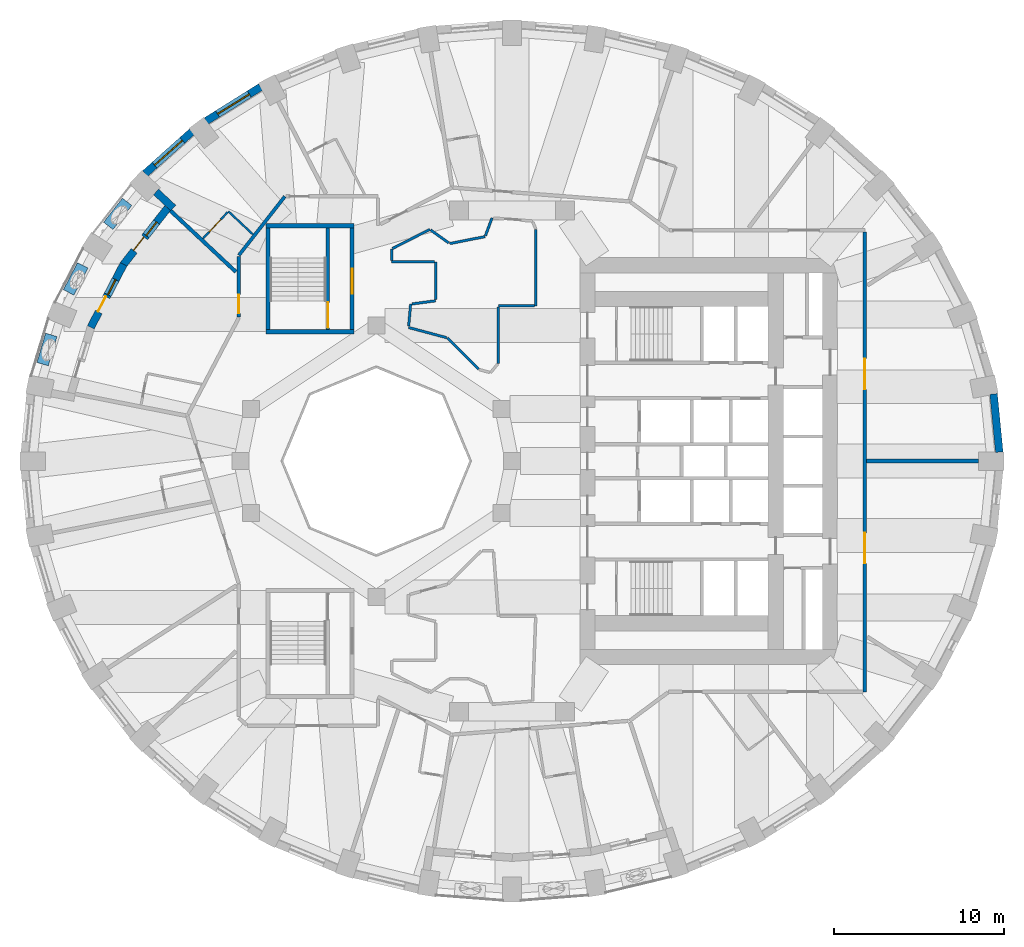
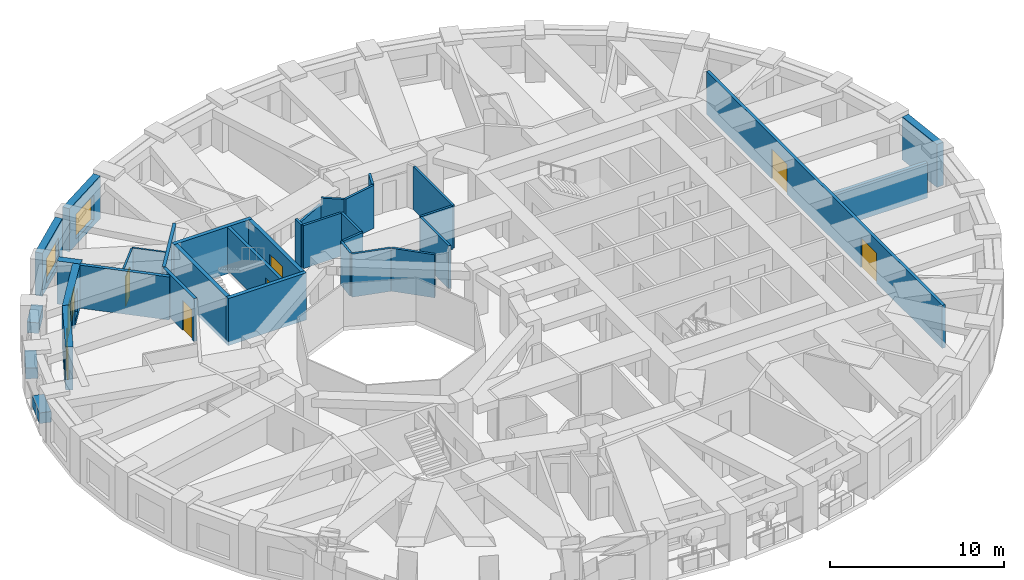
# One storey, part 7 of 13: 35 walls, 8 doors, 4 windows, 12 openings.
"""IFC4 building model written with IfcOpenShell, lengths in metres."""

from ifc_helpers import new_model, si_unit, direction, frame, frame_2d, origin, place, context, subcontext, project, spatial, rectangle, extrude, material, layer, layer_set, constituent, constituent_set, type_object, element, fill, save


model = new_model("IFC4")

# Units and contexts
model_context = context("Model", 3, precision=1e-05, world=origin(), true_north=direction((0.0, 1.0)))
body_context = subcontext(model_context, "Body", "Model", "MODEL_VIEW")
ifc_project = project(units=[si_unit("LENGTHUNIT", "METRE"), si_unit("AREAUNIT", "SQUARE_METRE"), si_unit("VOLUMEUNIT", "CUBIC_METRE"), si_unit("PLANEANGLEUNIT", "RADIAN"), si_unit("MASSUNIT", "GRAM", prefix="KILO")], contexts=[model_context])

# Site, building, storey
site_placement = place(None, origin())
site = spatial("IfcSite", under=ifc_project, at=site_placement, CompositionType="ELEMENT")
building_placement = place(site_placement, origin())
building = spatial("IfcBuilding", under=site, at=building_placement, Name="Taillehof Tower", CompositionType="ELEMENT")
storey_placement = place(building_placement, frame((0.0, 0.0, 34.89990234375)))
storey = spatial("IfcBuildingStorey", under=building, at=storey_placement, Name="L08", CompositionType="ELEMENT", Elevation=34.89990234375)

# Wall
ifc_material_1 = material(Name="Brick masonry", Category="masonry")
ifc_layer_1 = layer(ifc_material_1, 0.449951171875)
ifc_layer_set_1 = layer_set([ifc_layer_1], Name="Brick infill wall 450")
wall_type_1 = type_object("IfcWallType", Name="Brick infill wall 450", PredefinedType="SOLIDWALL", material=ifc_layer_set_1)
wall_1_placement = place(storey_placement, frame((28.721923828125, 0.530029296875, 0.0), z_axis=(0.0, 0.0, 1.0), x_axis=(-0.097389581596, 0.995246336038, 0.0)))
element("IfcWall", 1, at=wall_1_placement, inside=storey, type_object=wall_type_1, Name="Brick wall L08 bay 1", PredefinedType="SOLIDWALL", context=body_context, shape_type="SweptSolid", body=[
    extrude(rectangle(XDim=3.44189453125, YDim=0.449951171875, at=frame_2d((1.720947265625, 0.0))), origin(), (0.0, 0.0, 1.0), 3.02001953125),
])

# Wall, opening, window
wall_2_placement = place(storey_placement, frame((-14.81689453125, 22.050537109375, 0.0), z_axis=(0.0, 0.0, 1.0), x_axis=(-0.847635480093, -0.530579016629, 0.0)))
wall_2 = element("IfcWall", 2, at=wall_2_placement, inside=storey, type_object=wall_type_1, Name="Brick wall L08 bay 13", PredefinedType="SOLIDWALL", context=body_context, shape_type="SweptSolid", body=[
    extrude(rectangle(XDim=3.782470703125, YDim=0.449951171875, at=frame_2d((1.89111328125, 0.0))), origin(), (0.0, 0.0, 1.0), 3.02001953125),
])
opening_1_placement = place(wall_2_placement, frame((0.791259765625, 0.0, 0.39990234375)))
opening_1 = element("IfcOpeningElement", 3, at=opening_1_placement, cuts=wall_2, Name="Opening W1", PredefinedType="OPENING", context=body_context, shape_type="SweptSolid", body=[
    extrude(rectangle(XDim=2.199951171875, YDim=1.75, at=frame_2d((1.10009765625, 0.875))), frame((0.0, 0.23486328125, 0.0), z_axis=(0.0, -1.0, 0.0), x_axis=(1.0, 0.0, 0.0)), (0.0, 0.0, 1.0), 0.469970703125),
])
ifc_material_2 = material(Name="Aluminium window frame with clear double glazing", Category="aluminium")
window_type_1 = type_object("IfcWindowType", Name="Deep-set window 2200x1750", PartitioningType="SINGLE_PANEL", PredefinedType="WINDOW", material=ifc_material_2)
window_1_placement = place(opening_1_placement, origin())
window_1 = element("IfcWindow", 4, at=window_1_placement, inside=storey, type_object=window_type_1, Name="W1", OverallHeight=1.75, OverallWidth=2.199951171875, PartitioningType="SINGLE_PANEL", PredefinedType="WINDOW", context=body_context, shape_type="SweptSolid", body=[
    extrude(rectangle(XDim=2.199951171875, YDim=1.75, at=frame_2d((1.10009765625, 0.875))), frame((0.0, 0.034912109375, 0.0), z_axis=(0.0, -1.0, 0.0), x_axis=(1.0, 0.0, 0.0)), (0.0, 0.0, 1.0), 0.06005859375),
])
fill(opening_1, window_1)

wall_3_placement = place(storey_placement, frame((-18.87060546875, 19.406982421875, 0.0), z_axis=(0.0, 0.0, 1.0), x_axis=(-0.745526233716, -0.66647628228, 0.0)))
wall_3 = element("IfcWall", 5, at=wall_3_placement, inside=storey, type_object=wall_type_1, Name="Brick wall L08 bay 14", PredefinedType="SOLIDWALL", context=body_context, shape_type="SweptSolid", body=[
    extrude(rectangle(XDim=3.69677734375, YDim=0.449951171875, at=frame_2d((1.848388671875, 0.0))), origin(), (0.0, 0.0, 1.0), 3.02001953125),
])
opening_2_placement = place(wall_3_placement, frame((0.74853515625, 0.0, 0.39990234375)))
opening_2 = element("IfcOpeningElement", 6, at=opening_2_placement, cuts=wall_3, Name="Opening W1", PredefinedType="OPENING", context=body_context, shape_type="SweptSolid", body=[
    extrude(rectangle(XDim=2.199951171875, YDim=1.75, at=frame_2d((1.10009765625, 0.875))), frame((0.0, 0.23486328125, 0.0), z_axis=(0.0, -1.0, 0.0), x_axis=(1.0, 0.0, 0.0)), (0.0, 0.0, 1.0), 0.469970703125),
])
window_2_placement = place(opening_2_placement, origin())
window_2 = element("IfcWindow", 7, at=window_2_placement, inside=storey, type_object=window_type_1, Name="W1", OverallHeight=1.75, OverallWidth=2.199951171875, PartitioningType="SINGLE_PANEL", PredefinedType="WINDOW", context=body_context, shape_type="SweptSolid", body=[
    extrude(rectangle(XDim=2.199951171875, YDim=1.75, at=frame_2d((1.10009765625, 0.875))), frame((0.0, 0.034912109375, 0.0), z_axis=(0.0, -1.0, 0.0), x_axis=(1.0, 0.0, 0.0)), (0.0, 0.0, 1.0), 0.06005859375),
])
fill(opening_2, window_2)

# Wall
wall_4_placement = place(storey_placement, frame((-20.981689453125, 15.8662109375, 0.0), z_axis=(0.0, 0.0, 1.0), x_axis=(0.730062381614, -0.683380508174, 0.0)))
element("IfcWall", 8, at=wall_4_placement, inside=storey, type_object=wall_type_1, Name="Brick reveal L08 pocket 4", PredefinedType="SOLIDWALL", context=body_context, shape_type="SweptSolid", body=[
    extrude(rectangle(XDim=1.39111328125, YDim=0.449951171875, at=frame_2d((0.695556640625, 0.0))), origin(), (0.0, 0.0, 1.0), 3.02001953125),
])

# Wall, openings, door, window
wall_5_placement = place(storey_placement, frame((-20.298095703125, 14.918212890625, 0.0), z_axis=(0.0, 0.0, 1.0), x_axis=(-0.615578403957, -0.788075649022, 0.0)))
wall_5 = element("IfcWall", 9, at=wall_5_placement, inside=storey, type_object=wall_type_1, Name="Brick wall L08 pocket bay 15", PredefinedType="SOLIDWALL", context=body_context, shape_type="SweptSolid", body=[
    extrude(rectangle(XDim=4.2587890625, YDim=0.449951171875, at=frame_2d((2.12939453125, 0.0))), origin(), (0.0, 0.0, 1.0), 3.02001953125),
])
opening_3_placement = place(wall_5_placement, frame((1.05419921875, 0.0, 0.39990234375)))
opening_3 = element("IfcOpeningElement", 10, at=opening_3_placement, cuts=wall_5, Name="Opening W5", PredefinedType="OPENING", context=body_context, shape_type="SweptSolid", body=[
    extrude(rectangle(XDim=1.0, YDim=1.75, at=frame_2d((0.5, 0.875))), frame((0.0, 0.23486328125, 0.0), z_axis=(0.0, -1.0, 0.0), x_axis=(1.0, 0.0, 0.0)), (0.0, 0.0, 1.0), 0.469970703125),
])
opening_4_placement = place(wall_5_placement, frame((2.204345703125, 0.0, 0.0)))
opening_4 = element("IfcOpeningElement", 11, at=opening_4_placement, cuts=wall_5, Name="Opening D0891", PredefinedType="OPENING", context=body_context, shape_type="SweptSolid", body=[
    extrude(rectangle(XDim=1.0, YDim=2.14990234375, at=frame_2d((0.5, 1.074951171875))), frame((0.0, 0.23486328125, 0.0), z_axis=(0.0, -1.0, 0.0), x_axis=(1.0, 0.0, 0.0)), (0.0, 0.0, 1.0), 0.469970703125),
])
ifc_material_3 = material(Name="Aluminium door frame with clear double glazing", Category="aluminium")
door_type_1 = type_object("IfcDoorType", Name="Balcony door 1000x2150", OperationType="SINGLE_SWING_RIGHT", PredefinedType="DOOR", material=ifc_material_3)
door_1_placement = place(opening_4_placement, frame((1.0, 0.0, 0.0), z_axis=(0.0, 0.0, 1.0), x_axis=(-1.0, 0.0, 0.0)))
door_1 = element("IfcDoor", 12, at=door_1_placement, inside=storey, type_object=door_type_1, Name="Balcony door L08 bay 15", OperationType="SINGLE_SWING_RIGHT", OverallHeight=2.14990234375, OverallWidth=1.0, PredefinedType="DOOR", context=body_context, shape_type="SweptSolid", body=[
    extrude(rectangle(XDim=1.0, YDim=2.14990234375, at=frame_2d((0.5, 1.074951171875))), frame((0.0, 0.0751953125, 0.0), z_axis=(0.0, -1.0, 0.0), x_axis=(1.0, 0.0, 0.0)), (0.0, 0.0, 1.0), 0.050048828125),
])
fill(opening_4, door_1)
ifc_material_4 = material(Name="Aluminium window frame with clear double glazing", Category="aluminium")
window_type_2 = type_object("IfcWindowType", Name="Fixed window 1000x1750", PartitioningType="SINGLE_PANEL", PredefinedType="WINDOW", material=ifc_material_4)
window_3_placement = place(opening_3_placement, origin())
window_3 = element("IfcWindow", 13, at=window_3_placement, inside=storey, type_object=window_type_2, Name="W5", OverallHeight=1.75, OverallWidth=1.0, PartitioningType="SINGLE_PANEL", PredefinedType="WINDOW", context=body_context, shape_type="SweptSolid", body=[
    extrude(rectangle(XDim=1.0, YDim=1.75, at=frame_2d((0.5, 0.875))), frame((0.0, 0.034912109375, 0.0), z_axis=(0.0, -1.0, 0.0), x_axis=(1.0, 0.0, 0.0)), (0.0, 0.0, 1.0), 0.06005859375),
])
fill(opening_3, window_3)

wall_6_placement = place(storey_placement, frame((-22.897216796875, 11.5966796875, 0.0), z_axis=(0.0, 0.0, 1.0), x_axis=(-0.461514453451, -0.887132689769, 0.0)))
wall_6 = element("IfcWall", 14, at=wall_6_placement, inside=storey, type_object=wall_type_1, Name="Brick wall L08 pocket bay 16", PredefinedType="SOLIDWALL", context=body_context, shape_type="SweptSolid", body=[
    extrude(rectangle(XDim=4.182861328125, YDim=0.449951171875, at=frame_2d((2.09130859375, 0.0))), origin(), (0.0, 0.0, 1.0), 3.02001953125),
])
opening_5_placement = place(wall_6_placement, frame((1.016357421875, 0.0, 0.39990234375)))
opening_5 = element("IfcOpeningElement", 15, at=opening_5_placement, cuts=wall_6, Name="Opening W5", PredefinedType="OPENING", context=body_context, shape_type="SweptSolid", body=[
    extrude(rectangle(XDim=1.0, YDim=1.75, at=frame_2d((0.5, 0.875))), frame((0.0, 0.23486328125, 0.0), z_axis=(0.0, -1.0, 0.0), x_axis=(1.0, 0.0, 0.0)), (0.0, 0.0, 1.0), 0.469970703125),
])
opening_6_placement = place(wall_6_placement, frame((2.16650390625, 0.0, 0.0)))
opening_6 = element("IfcOpeningElement", 16, at=opening_6_placement, cuts=wall_6, Name="Opening D0892", PredefinedType="OPENING", context=body_context, shape_type="SweptSolid", body=[
    extrude(rectangle(XDim=1.0, YDim=2.14990234375, at=frame_2d((0.5, 1.074951171875))), frame((0.0, 0.23486328125, 0.0), z_axis=(0.0, -1.0, 0.0), x_axis=(1.0, 0.0, 0.0)), (0.0, 0.0, 1.0), 0.469970703125),
])
door_2_placement = place(opening_6_placement, frame((1.0, 0.0, 0.0), z_axis=(0.0, 0.0, 1.0), x_axis=(-1.0, 0.0, 0.0)))
door_2 = element("IfcDoor", 17, at=door_2_placement, inside=storey, type_object=door_type_1, Name="Balcony door L08 bay 16", OperationType="SINGLE_SWING_LEFT", OverallHeight=2.14990234375, OverallWidth=1.0, PredefinedType="DOOR", context=body_context, shape_type="SweptSolid", body=[
    extrude(rectangle(XDim=1.0, YDim=2.14990234375, at=frame_2d((0.5, 1.074951171875))), frame((0.0, 0.0751953125, 0.0), z_axis=(0.0, -1.0, 0.0), x_axis=(1.0, 0.0, 0.0)), (0.0, 0.0, 1.0), 0.050048828125),
])
fill(opening_6, door_2)
window_4_placement = place(opening_5_placement, origin())
window_4 = element("IfcWindow", 18, at=window_4_placement, inside=storey, type_object=window_type_2, Name="W5", OverallHeight=1.75, OverallWidth=1.0, PartitioningType="SINGLE_PANEL", PredefinedType="WINDOW", context=body_context, shape_type="SweptSolid", body=[
    extrude(rectangle(XDim=1.0, YDim=1.75, at=frame_2d((0.5, 0.875))), frame((0.0, 0.034912109375, 0.0), z_axis=(0.0, -1.0, 0.0), x_axis=(1.0, 0.0, 0.0)), (0.0, 0.0, 1.0), 0.06005859375),
])
fill(opening_5, window_4)

# Wall
ifc_material_5 = material(Name="Gypsum board on steel studs, two layers each side", Category="steel")
ifc_layer_2 = layer(ifc_material_5, 0.199951171875)
ifc_layer_set_2 = layer_set([ifc_layer_2], Name="Compartment wall corridor 200")
wall_type_2 = type_object("IfcWallType", Name="Compartment wall corridor 200", PredefinedType="PARTITIONING", material=ifc_layer_set_2)
wall_7_placement = place(storey_placement, frame((-16.10009765625, 12.129638671875, 0.0), z_axis=(0.0, 0.0, 1.0), x_axis=(0.615593476668, 0.788063875256, 0.0)))
element("IfcWall", 19, at=wall_7_placement, inside=storey, type_object=wall_type_2, Name="Compartment wall", PredefinedType="PARTITIONING", context=body_context, shape_type="SweptSolid", body=[
    extrude(rectangle(XDim=4.40380859375, YDim=0.199951171875, at=frame_2d((2.201904296875, 0.0))), origin(), (0.0, 0.0, 1.0), 3.02001953125),
])

# Wall, openings, doors
wall_8_placement = place(storey_placement, frame((20.800048828125, 13.5, 0.0), z_axis=(0.0, 0.0, 1.0), x_axis=(0.0, -1.0, 0.0)))
wall_8 = element("IfcWall", 20, at=wall_8_placement, inside=storey, type_object=wall_type_2, Name="Compartment wall", PredefinedType="PARTITIONING", context=body_context, shape_type="SweptSolid", body=[
    extrude(rectangle(XDim=27.10009765625, YDim=0.199951171875, at=frame_2d((13.550048828125, 0.0))), origin(), (0.0, 0.0, 1.0), 3.02001953125),
])
opening_7_placement = place(wall_8_placement, frame((17.733154296875, 0.0, 0.0)))
opening_7 = element("IfcOpeningElement", 21, at=opening_7_placement, cuts=wall_8, Name="Opening D0863", PredefinedType="OPENING", context=body_context, shape_type="SweptSolid", body=[
    extrude(rectangle(XDim=1.800048828125, YDim=2.10009765625, at=frame_2d((0.89990234375, 1.050048828125))), frame((0.0, 0.10986328125, 0.0), z_axis=(0.0, -1.0, 0.0), x_axis=(1.0, 0.0, 0.0)), (0.0, 0.0, 1.0), 0.219970703125),
])
opening_8_placement = place(wall_8_placement, frame((7.466796875, 0.0, 0.0)))
opening_8 = element("IfcOpeningElement", 22, at=opening_8_placement, cuts=wall_8, Name="Opening D0864", PredefinedType="OPENING", context=body_context, shape_type="SweptSolid", body=[
    extrude(rectangle(XDim=1.800048828125, YDim=2.10009765625, at=frame_2d((0.89990234375, 1.050048828125))), frame((0.0, 0.10986328125, 0.0), z_axis=(0.0, -1.0, 0.0), x_axis=(1.0, 0.0, 0.0)), (0.0, 0.0, 1.0), 0.219970703125),
])
ifc_material_6 = material(Name="Timber door leaf in steel frame", Category="steel")
door_type_2 = type_object("IfcDoorType", Name="Lounge and meeting room double door EI 30 1800 x 2100", OperationType="SINGLE_SWING_LEFT", PredefinedType="DOOR", material=ifc_material_6)
door_3_placement = place(opening_7_placement, origin())
door_3 = element("IfcDoor", 23, at=door_3_placement, inside=storey, type_object=door_type_2, Name="D0863", OperationType="DOUBLE_DOOR_SINGLE_SWING", OverallHeight=2.10009765625, OverallWidth=1.800048828125, PredefinedType="DOOR", context=body_context, shape_type="SweptSolid", body=[
    extrude(rectangle(XDim=1.800048828125, YDim=2.10009765625, at=frame_2d((0.89990234375, 1.050048828125))), frame((0.0, 0.02490234375, 0.0), z_axis=(0.0, -1.0, 0.0), x_axis=(1.0, 0.0, 0.0)), (0.0, 0.0, 1.0), 0.050048828125),
])
fill(opening_7, door_3)
door_4_placement = place(opening_8_placement, origin())
door_4 = element("IfcDoor", 24, at=door_4_placement, inside=storey, type_object=door_type_2, Name="D0864", OperationType="DOUBLE_DOOR_SINGLE_SWING", OverallHeight=2.10009765625, OverallWidth=1.800048828125, PredefinedType="DOOR", context=body_context, shape_type="SweptSolid", body=[
    extrude(rectangle(XDim=1.800048828125, YDim=2.10009765625, at=frame_2d((0.89990234375, 1.050048828125))), frame((0.0, 0.02490234375, 0.0), z_axis=(0.0, -1.0, 0.0), x_axis=(1.0, 0.0, 0.0)), (0.0, 0.0, 1.0), 0.050048828125),
])
fill(opening_8, door_4)

# Wall, opening, door
wall_9_placement = place(storey_placement, frame((-16.10009765625, 8.49072265625, 0.0), z_axis=(0.0, 0.0, 1.0), x_axis=(0.0, 1.0, 0.0)))
wall_9 = element("IfcWall", 25, at=wall_9_placement, inside=storey, type_object=wall_type_2, Name="Compartment wall", PredefinedType="PARTITIONING", context=body_context, shape_type="SweptSolid", body=[
    extrude(rectangle(XDim=3.578857421875, YDim=0.199951171875, at=frame_2d((1.78955078125, 0.0))), origin(), (0.0, 0.0, 1.0), 3.02001953125),
])
opening_9_placement = place(wall_9_placement, frame((0.219970703125, 0.0, 0.0)))
opening_9 = element("IfcOpeningElement", 26, at=opening_9_placement, cuts=wall_9, Name="Opening D0848", PredefinedType="OPENING", context=body_context, shape_type="SweptSolid", body=[
    extrude(rectangle(XDim=1.10009765625, YDim=2.10009765625, at=frame_2d((0.550048828125, 1.050048828125))), frame((0.0, 0.10986328125, 0.0), z_axis=(0.0, -1.0, 0.0), x_axis=(1.0, 0.0, 0.0)), (0.0, 0.0, 1.0), 0.219970703125),
])
ifc_material_7 = material(Name="Timber door leaf in steel frame", Category="steel")
door_type_3 = type_object("IfcDoorType", Name="Suite entrance door EI 30 1100 x 2100", OperationType="SINGLE_SWING_LEFT", PredefinedType="DOOR", material=ifc_material_7)
door_5_placement = place(opening_9_placement, origin())
door_5 = element("IfcDoor", 27, at=door_5_placement, inside=storey, type_object=door_type_3, Name="D0848", OperationType="SINGLE_SWING_LEFT", OverallHeight=2.10009765625, OverallWidth=1.10009765625, PredefinedType="DOOR", context=body_context, shape_type="SweptSolid", body=[
    extrude(rectangle(XDim=1.10009765625, YDim=2.10009765625, at=frame_2d((0.550048828125, 1.050048828125))), frame((0.0, 0.02490234375, 0.0), z_axis=(0.0, -1.0, 0.0), x_axis=(1.0, 0.0, 0.0)), (0.0, 0.0, 1.0), 0.050048828125),
])
fill(opening_9, door_5)

# Walls
ifc_material_8 = material(Name="Gypsum board on double steel studs with mineral wool", Category="steel")
ifc_layer_3 = layer(ifc_material_8, 0.219970703125)
ifc_layer_set_3 = layer_set([ifc_layer_3], Name="Compartment wall guest room 220")
wall_type_3 = type_object("IfcWallType", Name="Compartment wall guest room 220", PredefinedType="PARTITIONING", material=ifc_layer_set_3)
wall_10_placement = place(storey_placement, frame((27.5, 0.0, 0.0), z_axis=(0.0, 0.0, 1.0), x_axis=(-1.0, 0.0, 0.0)))
element("IfcWall", 28, at=wall_10_placement, inside=storey, type_object=wall_type_3, Name="Compartment wall", PredefinedType="PARTITIONING", context=body_context, shape_type="SweptSolid", body=[
    extrude(rectangle(XDim=6.599853515625, YDim=0.219970703125, at=frame_2d((3.2998046875, 0.0))), origin(), (0.0, 0.0, 1.0), 2.47021484375),
])
wall_11_placement = place(storey_placement, frame((-20.133056640625, 14.763671875, 0.0), z_axis=(0.0, 0.0, 1.0), x_axis=(0.730065516357, -0.68337715928, 0.0)))
element("IfcWall", 29, at=wall_11_placement, inside=storey, type_object=wall_type_3, Name="Compartment wall", PredefinedType="PARTITIONING", context=body_context, shape_type="SweptSolid", body=[
    extrude(rectangle(XDim=5.28662109375, YDim=0.219970703125, at=frame_2d((2.643310546875, 0.0))), origin(), (0.0, 0.0, 1.0), 3.02001953125),
])
ifc_material_9 = material(Name="Gypsum board on steel studs, two layers each side", Category="steel")
ifc_layer_4 = layer(ifc_material_9, 0.14990234375)
ifc_layer_set_4 = layer_set([ifc_layer_4], Name="Compartment wall service room 150")
wall_type_4 = type_object("IfcWallType", Name="Compartment wall service room 150", PredefinedType="PARTITIONING", material=ifc_layer_set_4)
wall_12_placement = place(storey_placement, frame((-3.67578125, 12.822021484375, 0.0), z_axis=(0.0, 0.0, 1.0), x_axis=(0.981284032016, 0.192565958858, 0.0)))
element("IfcWall", 30, at=wall_12_placement, inside=storey, type_object=wall_type_4, Name="Compartment wall", PredefinedType="PARTITIONING", context=body_context, shape_type="SweptSolid", body=[
    extrude(rectangle(XDim=2.1298828125, YDim=0.14990234375, at=frame_2d((1.06494140625, 0.0))), origin(), (0.0, 0.0, 1.0), 3.02001953125),
])
wall_13_placement = place(storey_placement, frame((-1.564453125, 13.28857421875, 0.0), z_axis=(0.0, 0.0, 1.0), x_axis=(0.348554808131, 0.937288400509, 0.0)))
element("IfcWall", 31, at=wall_13_placement, inside=storey, type_object=wall_type_4, Name="Compartment wall", PredefinedType="PARTITIONING", context=body_context, shape_type="SweptSolid", body=[
    extrude(rectangle(XDim=1.114990234375, YDim=0.14990234375, at=frame_2d((0.5576171875, 0.0))), origin(), (0.0, 0.0, 1.0), 3.02001953125),
])
wall_14_placement = place(storey_placement, frame((1.39990234375, 13.66064453125, 0.0), z_axis=(0.0, 0.0, 1.0), x_axis=(0.0, -1.0, 0.0)))
element("IfcWall", 32, at=wall_14_placement, inside=storey, type_object=wall_type_4, Name="Compartment wall", PredefinedType="PARTITIONING", context=body_context, shape_type="SweptSolid", body=[
    extrude(rectangle(XDim=4.5107421875, YDim=0.14990234375, at=frame_2d((2.25537109375, 0.0))), origin(), (0.0, 0.0, 1.0), 3.02001953125),
])
wall_15_placement = place(storey_placement, frame((1.31982421875, 9.14990234375, 0.0), z_axis=(0.0, 0.0, 1.0), x_axis=(-1.0, 0.0, 0.0)))
element("IfcWall", 33, at=wall_15_placement, inside=storey, type_object=wall_type_4, Name="Compartment wall", PredefinedType="PARTITIONING", context=body_context, shape_type="SweptSolid", body=[
    extrude(rectangle(XDim=2.119873046875, YDim=0.14990234375, at=frame_2d((1.06005859375, 0.0))), origin(), (0.0, 0.0, 1.0), 3.02001953125),
])
wall_16_placement = place(storey_placement, frame((-0.800048828125, 9.06982421875, 0.0), z_axis=(0.0, 0.0, 1.0), x_axis=(-0.003911409193, -0.99999235041, 0.0)))
element("IfcWall", 34, at=wall_16_placement, inside=storey, type_object=wall_type_4, Name="Compartment wall", PredefinedType="PARTITIONING", context=body_context, shape_type="SweptSolid", body=[
    extrude(rectangle(XDim=3.30810546875, YDim=0.14990234375, at=frame_2d((1.654052734375, 0.0))), origin(), (0.0, 0.0, 1.0), 3.02001953125),
])
wall_17_placement = place(storey_placement, frame((-1.973388671875, 5.428466796875, 0.0), z_axis=(0.0, 0.0, 1.0), x_axis=(-0.707106781187, 0.707106781187, 0.0)))
element("IfcWall", 35, at=wall_17_placement, inside=storey, type_object=wall_type_4, Name="Compartment wall", PredefinedType="PARTITIONING", context=body_context, shape_type="SweptSolid", body=[
    extrude(rectangle(XDim=2.59326171875, YDim=0.14990234375, at=frame_2d((1.296630859375, 0.0))), origin(), (0.0, 0.0, 1.0), 3.02001953125),
])
wall_18_placement = place(storey_placement, frame((-3.845703125, 7.2724609375, 0.0), z_axis=(0.0, 0.0, 1.0), x_axis=(-0.965906023197, 0.258892939941, 0.0)))
element("IfcWall", 36, at=wall_18_placement, inside=storey, type_object=wall_type_4, Name="Compartment wall", PredefinedType="PARTITIONING", context=body_context, shape_type="SweptSolid", body=[
    extrude(rectangle(XDim=2.333984375, YDim=0.14990234375, at=frame_2d((1.1669921875, 0.0))), origin(), (0.0, 0.0, 1.0), 3.02001953125),
])
wall_19_placement = place(storey_placement, frame((-6.09228515625, 7.956787109375, 0.0), z_axis=(0.0, 0.0, 1.0), x_axis=(0.091567710563, 0.99579885237, 0.0)))
element("IfcWall", 37, at=wall_19_placement, inside=storey, type_object=wall_type_4, Name="Compartment wall", PredefinedType="PARTITIONING", context=body_context, shape_type="SweptSolid", body=[
    extrude(rectangle(XDim=1.301025390625, YDim=0.14990234375, at=frame_2d((0.650390625, 0.0))), origin(), (0.0, 0.0, 1.0), 3.02001953125),
])
wall_20_placement = place(storey_placement, frame((-5.89404296875, 9.26318359375, 0.0), z_axis=(0.0, 0.0, 1.0), x_axis=(0.991144324173, 0.132789038177, 0.0)))
element("IfcWall", 38, at=wall_20_placement, inside=storey, type_object=wall_type_4, Name="Compartment wall", PredefinedType="PARTITIONING", context=body_context, shape_type="SweptSolid", body=[
    extrude(rectangle(XDim=1.406494140625, YDim=0.14990234375, at=frame_2d((0.703125, 0.0))), origin(), (0.0, 0.0, 1.0), 3.02001953125),
])
wall_21_placement = place(storey_placement, frame((-4.5, 9.530029296875, 0.0), z_axis=(0.0, 0.0, 1.0), x_axis=(0.0, 1.0, 0.0)))
element("IfcWall", 39, at=wall_21_placement, inside=storey, type_object=wall_type_4, Name="Compartment wall", PredefinedType="PARTITIONING", context=body_context, shape_type="SweptSolid", body=[
    extrude(rectangle(XDim=2.219970703125, YDim=0.14990234375, at=frame_2d((1.10986328125, 0.0))), origin(), (0.0, 0.0, 1.0), 3.02001953125),
])
wall_22_placement = place(storey_placement, frame((-4.580078125, 11.75, 0.0), z_axis=(0.0, 0.0, 1.0), x_axis=(-1.0, 0.0, 0.0)))
element("IfcWall", 40, at=wall_22_placement, inside=storey, type_object=wall_type_4, Name="Compartment wall", PredefinedType="PARTITIONING", context=body_context, shape_type="SweptSolid", body=[
    extrude(rectangle(XDim=2.52001953125, YDim=0.14990234375, at=frame_2d((1.260009765625, 0.0))), origin(), (0.0, 0.0, 1.0), 3.02001953125),
])
wall_23_placement = place(storey_placement, frame((-7.10009765625, 11.830078125, 0.0), z_axis=(0.0, 0.0, 1.0), x_axis=(0.0, 1.0, 0.0)))
element("IfcWall", 41, at=wall_23_placement, inside=storey, type_object=wall_type_4, Name="Compartment wall", PredefinedType="PARTITIONING", context=body_context, shape_type="SweptSolid", body=[
    extrude(rectangle(XDim=0.67236328125, YDim=0.14990234375, at=frame_2d((0.336181640625, 0.0))), origin(), (0.0, 0.0, 1.0), 3.02001953125),
])
wall_24_placement = place(storey_placement, frame((-7.046630859375, 12.529541015625, 0.0), z_axis=(0.0, 0.0, 1.0), x_axis=(0.890208185307, 0.455553934032, 0.0)))
element("IfcWall", 42, at=wall_24_placement, inside=storey, type_object=wall_type_4, Name="Compartment wall", PredefinedType="PARTITIONING", context=body_context, shape_type="SweptSolid", body=[
    extrude(rectangle(XDim=2.4765625, YDim=0.14990234375, at=frame_2d((1.23828125, 0.0))), origin(), (0.0, 0.0, 1.0), 2.570068359375),
])
wall_25_placement = place(storey_placement, frame((-4.79296875, 13.62255859375, 0.0), z_axis=(0.0, 0.0, 1.0), x_axis=(0.812853780358, -0.582467794611, 0.0)))
element("IfcWall", 43, at=wall_25_placement, inside=storey, type_object=wall_type_4, Name="Compartment wall", PredefinedType="PARTITIONING", context=body_context, shape_type="SweptSolid", body=[
    extrude(rectangle(XDim=1.31396484375, YDim=0.14990234375, at=frame_2d((0.656982421875, 0.0))), origin(), (0.0, 0.0, 1.0), 3.02001953125),
])
ifc_material_10 = material(Name="Gypsum board on steel studs, moisture resistant", Category="steel")
ifc_layer_5 = layer(ifc_material_10, 0.1201171875)
ifc_layer_set_5 = layer_set([ifc_layer_5], Name="En-suite wall 120")
wall_type_5 = type_object("IfcWallType", Name="En-suite wall 120", PredefinedType="PARTITIONING", material=ifc_layer_set_5)
wall_26_placement = place(storey_placement, frame((-15.2666015625, 13.359130859375, 0.0), z_axis=(0.0, 0.0, 1.0), x_axis=(-0.730103481834, 0.683336597742, 0.0)))
element("IfcWall", 44, at=wall_26_placement, inside=storey, type_object=wall_type_5, Name="En-suite wall", PredefinedType="PARTITIONING", context=body_context, shape_type="SweptSolid", body=[
    extrude(rectangle(XDim=1.989013671875, YDim=0.1201171875, at=frame_2d((0.99462890625, 0.0))), origin(), (0.0, 0.0, 1.0), 3.02001953125),
])

# Wall, opening, door
wall_27_placement = place(storey_placement, frame((-16.759765625, 14.67431640625, 0.0), z_axis=(0.0, 0.0, 1.0), x_axis=(-0.683334594436, -0.730105356813, 0.0)))
wall_27 = element("IfcWall", 45, at=wall_27_placement, inside=storey, type_object=wall_type_5, Name="En-suite wall", PredefinedType="PARTITIONING", context=body_context, shape_type="SweptSolid", body=[
    extrude(rectangle(XDim=2.129638671875, YDim=0.1201171875, at=frame_2d((1.06494140625, 0.0))), origin(), (0.0, 0.0, 1.0), 3.02001953125),
])
opening_10_placement = place(wall_27_placement, frame((0.58984375, 0.0, 0.0)))
opening_10 = element("IfcOpeningElement", 46, at=opening_10_placement, cuts=wall_27, Name="Opening D0847", PredefinedType="OPENING", context=body_context, shape_type="SweptSolid", body=[
    extrude(rectangle(XDim=1.0, YDim=2.10009765625, at=frame_2d((0.5, 1.050048828125))), frame((0.0, 0.070068359375, 0.0), z_axis=(0.0, -1.0, 0.0), x_axis=(1.0, 0.0, 0.0)), (0.0, 0.0, 1.0), 0.14013671875),
])
ifc_material_11 = material(Name="Timber door leaf in steel frame", Category="steel")
door_type_4 = type_object("IfcDoorType", Name="Accessible en-suite door 1000 x 2100", OperationType="SINGLE_SWING_LEFT", PredefinedType="DOOR", material=ifc_material_11)
door_6_placement = place(opening_10_placement, origin())
door_6 = element("IfcDoor", 47, at=door_6_placement, inside=storey, type_object=door_type_4, Name="D0847", OperationType="SINGLE_SWING_LEFT", OverallHeight=2.10009765625, OverallWidth=1.0, PredefinedType="DOOR", context=body_context, shape_type="SweptSolid", body=[
    extrude(rectangle(XDim=1.0, YDim=2.10009765625, at=frame_2d((0.5, 1.050048828125))), frame((0.0, 0.02490234375, 0.0), z_axis=(0.0, -1.0, 0.0), x_axis=(1.0, 0.0, 0.0)), (0.0, 0.0, 1.0), 0.050048828125),
])
fill(opening_10, door_6)

# Walls
ifc_material_12 = material(Name="Concrete C30/37 precast", Category="concrete")
ifc_constituent_1 = constituent(ifc_material_12, Name="Structure", Category="concrete")
ifc_material_13 = material(Name="Insulated lining")
ifc_constituent_2 = constituent(ifc_material_13, Name="Lining")
ifc_constituent_set = constituent_set(constituents=[ifc_constituent_1, ifc_constituent_2], Name="Planter trough 700x750")
wall_type_6 = type_object("IfcWallType", Name="Planter trough 700x750", PredefinedType="USERDEFINED", material=ifc_constituent_set)
wall_28_placement = place(storey_placement, frame((-22.685546875, 15.28125, 0.0), z_axis=(0.0, 0.0, 1.0), x_axis=(-0.616622746332, -0.787258781282, 0.0)))
element("IfcWall", 48, at=wall_28_placement, inside=storey, type_object=wall_type_6, Name="Planter L08 bay 15", ObjectType="PLANTER", PredefinedType="USERDEFINED", context=body_context, shape_type="SweptSolid", body=[
    extrude(rectangle(XDim=1.7998046875, YDim=0.699951171875, at=frame_2d((0.89990234375, 0.0))), origin(), (0.0, 0.0, 1.0), 0.75),
])
wall_29_placement = place(storey_placement, frame((-25.300048828125, 11.536865234375, 0.0), z_axis=(0.0, 0.0, 1.0), x_axis=(-0.462501112253, -0.886618701114, 0.0)))
element("IfcWall", 49, at=wall_29_placement, inside=storey, type_object=wall_type_6, Name="Planter L08 bay 16", ObjectType="PLANTER", PredefinedType="USERDEFINED", context=body_context, shape_type="SweptSolid", body=[
    extrude(rectangle(XDim=1.800048828125, YDim=0.699951171875, at=frame_2d((0.89990234375, 0.0))), origin(), (0.0, 0.0, 1.0), 0.75),
])
wall_30_placement = place(storey_placement, frame((-27.152099609375, 7.439453125, 0.0), z_axis=(0.0, 0.0, 1.0), x_axis=(-0.287024312863, -0.957923297465, 0.0)))
element("IfcWall", 50, at=wall_30_placement, inside=storey, type_object=wall_type_6, Name="Planter L08 bay 17", ObjectType="PLANTER", PredefinedType="USERDEFINED", context=body_context, shape_type="SweptSolid", body=[
    extrude(rectangle(XDim=1.7998046875, YDim=0.699951171875, at=frame_2d((0.89990234375, 0.0))), origin(), (0.0, 0.0, 1.0), 0.75),
])

# Wall, opening, door
ifc_material_14 = material(Name="Concrete C50/60", Category="concrete")
ifc_layer_6 = layer(ifc_material_14, 0.199951171875)
ifc_layer_set_6 = layer_set([ifc_layer_6], Name="Shaft wall C50/60 200")
wall_type_7 = type_object("IfcWallType", Name="Shaft wall C50/60 200", PredefinedType="SHEAR", material=ifc_layer_set_6)
wall_31_placement = place(storey_placement, frame((-10.85009765625, 7.75, 0.0), z_axis=(0.0, 0.0, 1.0), x_axis=(0.0, 1.0, 0.0)))
wall_31 = element("IfcWall", 51, at=wall_31_placement, inside=storey, type_object=wall_type_7, Name="Shaft wall SW", PredefinedType="SHEAR", context=body_context, shape_type="SweptSolid", body=[
    extrude(rectangle(XDim=6.0, YDim=0.199951171875, at=frame_2d((3.0, 0.0))), origin(), (0.0, 0.0, 1.0), 3.02001953125),
])
opening_11_placement = place(wall_31_placement, frame((0.10009765625, 0.0, 0.0)))
opening_11 = element("IfcOpeningElement", 52, at=opening_11_placement, cuts=wall_31, Name="Opening D0812", PredefinedType="OPENING", context=body_context, shape_type="SweptSolid", body=[
    extrude(rectangle(XDim=1.5, YDim=2.10009765625, at=frame_2d((0.75, 1.050048828125))), frame((0.0, 0.10986328125, 0.0), z_axis=(0.0, -1.0, 0.0), x_axis=(1.0, 0.0, 0.0)), (0.0, 0.0, 1.0), 0.219970703125),
])
ifc_material_15 = material(Name="Steel-faced fire door", Category="steel")
door_type_5 = type_object("IfcDoorType", Name="Stair door 1500x2100", OperationType="DOUBLE_DOOR_SINGLE_SWING", PredefinedType="DOOR", material=ifc_material_15)
door_7_placement = place(opening_11_placement, origin())
door_7 = element("IfcDoor", 53, at=door_7_placement, inside=storey, type_object=door_type_5, Name="Stair lobby door S3", OperationType="DOUBLE_DOOR_SINGLE_SWING", OverallHeight=2.10009765625, OverallWidth=1.5, PredefinedType="DOOR", context=body_context, shape_type="SweptSolid", body=[
    extrude(rectangle(XDim=1.5, YDim=2.10009765625, at=frame_2d((0.75, 1.050048828125))), frame((0.0, 0.02490234375, 0.0), z_axis=(0.0, -1.0, 0.0), x_axis=(1.0, 0.0, 0.0)), (0.0, 0.0, 1.0), 0.050048828125),
])
fill(opening_11, door_7)

# Wall
ifc_material_16 = material(Name="Concrete C50/60", Category="concrete")
ifc_layer_7 = layer(ifc_material_16, 0.25)
ifc_layer_set_7 = layer_set([ifc_layer_7], Name="Stair wall C50/60 250")
wall_type_8 = type_object("IfcWallType", Name="Stair wall C50/60 250", PredefinedType="SHEAR", material=ifc_layer_set_7)
wall_32_placement = place(storey_placement, frame((-14.375, 7.75, -0.27978515625), z_axis=(0.0, 0.0, 1.0), x_axis=(0.0, 1.0, 0.0)))
element("IfcWall", 54, at=wall_32_placement, inside=storey, type_object=wall_type_8, Name="Stair wall SC", PredefinedType="SHEAR", context=body_context, shape_type="SweptSolid", body=[
    extrude(rectangle(XDim=6.0, YDim=0.25, at=frame_2d((3.0, 0.0))), origin(), (0.0, 0.0, 1.0), 3.2998046875),
])

# Wall, opening, door
wall_33_placement = place(storey_placement, frame((-9.425048828125, 7.75, -0.27978515625), z_axis=(0.0, 0.0, 1.0), x_axis=(0.0, 1.0, 0.0)))
wall_33 = element("IfcWall", 55, at=wall_33_placement, inside=storey, type_object=wall_type_8, Name="Stair wall SC", PredefinedType="SHEAR", context=body_context, shape_type="SweptSolid", body=[
    extrude(rectangle(XDim=6.0, YDim=0.25, at=frame_2d((3.0, 0.0))), origin(), (0.0, 0.0, 1.0), 3.2998046875),
])
opening_12_placement = place(wall_33_placement, frame((2.10009765625, 0.0, 0.280029296875)))
opening_12 = element("IfcOpeningElement", 56, at=opening_12_placement, cuts=wall_33, Name="Opening D0819", PredefinedType="OPENING", context=body_context, shape_type="SweptSolid", body=[
    extrude(rectangle(XDim=1.5, YDim=2.10009765625, at=frame_2d((0.75, 1.050048828125))), frame((0.0, 0.135009765625, 0.0), z_axis=(0.0, -1.0, 0.0), x_axis=(1.0, 0.0, 0.0)), (0.0, 0.0, 1.0), 0.27001953125),
])
door_8_placement = place(opening_12_placement, origin())
door_8 = element("IfcDoor", 57, at=door_8_placement, inside=storey, type_object=door_type_5, Name="Stair door S3", OperationType="DOUBLE_DOOR_SINGLE_SWING", OverallHeight=2.10009765625, OverallWidth=1.5, PredefinedType="DOOR", context=body_context, shape_type="SweptSolid", body=[
    extrude(rectangle(XDim=1.5, YDim=2.10009765625, at=frame_2d((0.75, 1.050048828125))), frame((0.0, 0.02490234375, 0.0), z_axis=(0.0, -1.0, 0.0), x_axis=(1.0, 0.0, 0.0)), (0.0, 0.0, 1.0), 0.050048828125),
])
fill(opening_12, door_8)

# Walls
for number, where, z_axis, x_axis, name in (
    (58, (-14.5, 13.875, -0.27978515625), (0.0, 0.0, 1.0), (1.0, 0.0, 0.0), "Stair wall SC"),
    (59, (-14.5, 7.625, -0.27978515625), (0.0, 0.0, 1.0), (1.0, 0.0, 0.0), "Stair wall SC"),
):
    element("IfcWall", number, at=place(storey_placement, frame(where, z_axis=z_axis, x_axis=x_axis)), inside=storey, type_object=wall_type_8, Name=name, PredefinedType="SHEAR", context=body_context, shape_type="SweptSolid", body=[
        extrude(rectangle(XDim=5.199951171875, YDim=0.25, at=frame_2d((2.60009765625, 0.0))), origin(), (0.0, 0.0, 1.0), 3.2998046875),
    ])

save(model, "model.ifc")
